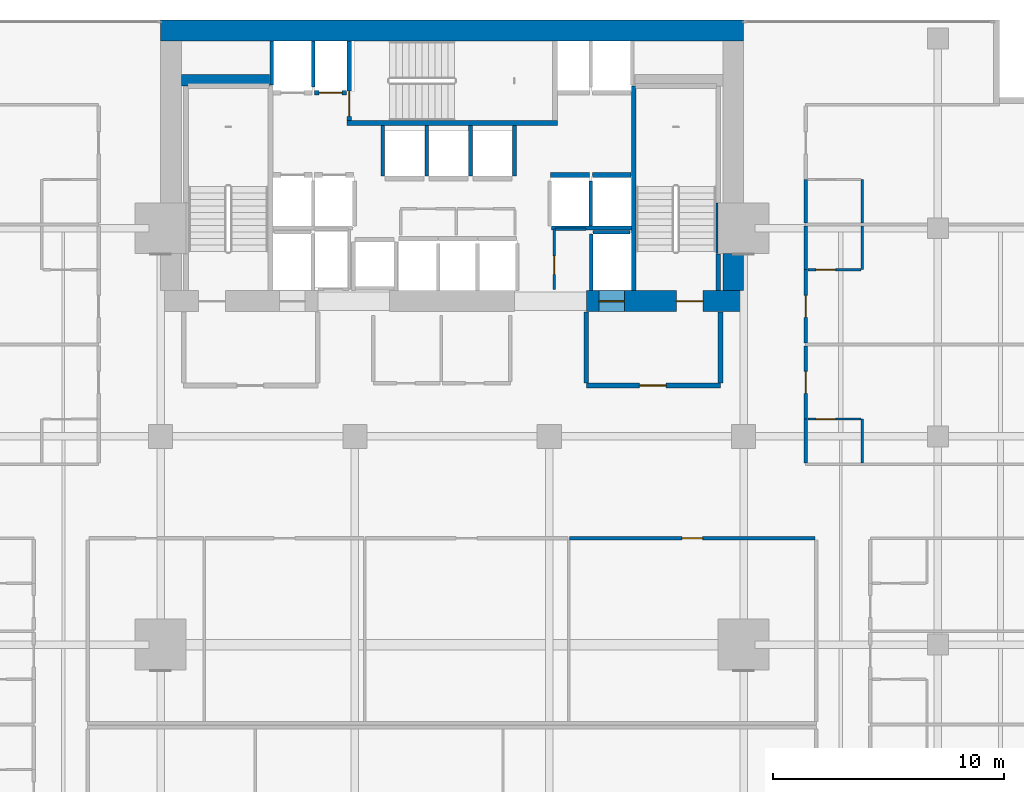
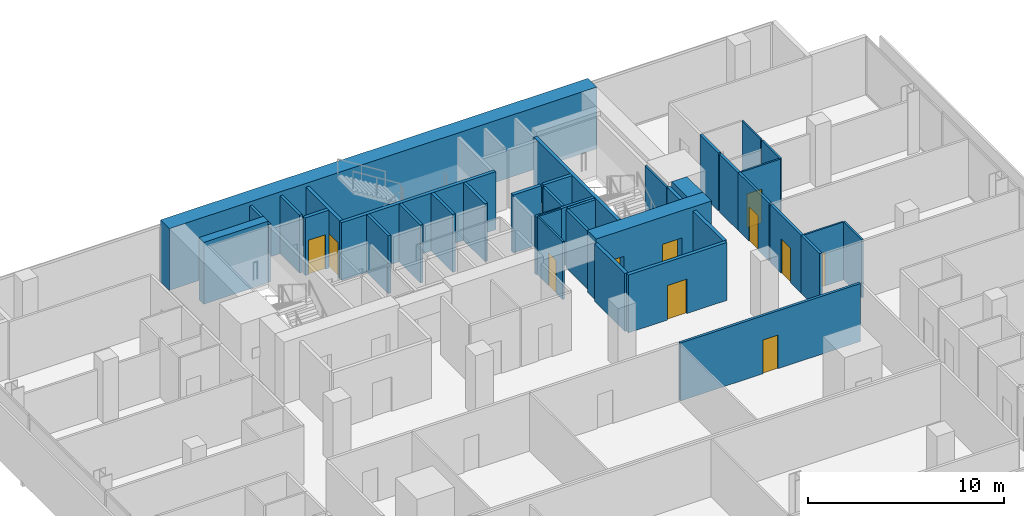
# One storey, part 37 of 41: 38 walls, 11 doors, 11 openings.
"""IFC4 building model written with IfcOpenShell, lengths in metres."""

from ifc_helpers import new_model, si_unit, direction, frame, frame_2d, origin, place, context, subcontext, project, spatial, rectangle, extrude, material, layer, layer_set, type_object, element, fill, save


model = new_model("IFC4")

# Units and contexts
model_context = context("Model", 3, precision=1e-05, world=origin(), true_north=direction((0.0, 1.0)))
body_context = subcontext(model_context, "Body", "Model", "MODEL_VIEW")
ifc_project = project(units=[si_unit("LENGTHUNIT", "METRE"), si_unit("AREAUNIT", "SQUARE_METRE"), si_unit("VOLUMEUNIT", "CUBIC_METRE"), si_unit("PLANEANGLEUNIT", "RADIAN"), si_unit("MASSUNIT", "GRAM", prefix="KILO")], contexts=[model_context])

# Site, building, storey
site_placement = place(None, origin())
site = spatial("IfcSite", under=ifc_project, at=site_placement, CompositionType="ELEMENT")
building_placement = place(site_placement, origin())
building = spatial("IfcBuilding", under=site, at=building_placement, Name="Maruvema Waterfront Hotel and Observation Tower", CompositionType="ELEMENT")
storey_placement = place(building_placement, frame((0.0, 0.0, 84.699951171875)))
storey = spatial("IfcBuildingStorey", under=building, at=storey_placement, Name="L20", CompositionType="ELEMENT", Elevation=84.699951171875)

# Wall, opening, door
ifc_material_1 = material(Name="Twin-stud acoustic gypsum drywall", Category="gypsum")
ifc_layer_1 = layer(ifc_material_1, 0.14990234375, Name="Acoustic Corridor and Suite Demising Wall 150 mm")
ifc_layer_set_1 = layer_set([ifc_layer_1], Name="Twin-stud acoustic gypsum drywall")
wall_type_1 = type_object("IfcWallType", Name="Acoustic Corridor and Suite Demising Wall 150 mm", PredefinedType="PARTITIONING", material=ifc_layer_set_1)
wall_1_placement = place(storey_placement, frame((42.8701171875, 31.60009765625, 0.0), z_axis=(0.0, 0.0, 1.0), x_axis=(1.0, 0.0, 0.0)))
wall_1 = element("IfcWall", 1, at=wall_1_placement, inside=storey, type_object=wall_type_1, Name="L20 L20-INTN Front 4 031", PredefinedType="PARTITIONING", context=body_context, shape_type="SweptSolid", body=[
    extrude(rectangle(XDim=10.619873046875, YDim=0.14990234375, at=frame_2d((5.31005859375, 0.0))), origin(), (0.0, 0.0, 1.0), 3.610107421875),
])
opening_1_placement = place(wall_1_placement, frame((4.860107421875, 0.0, 0.0)))
opening_1 = element("IfcOpeningElement", 2, at=opening_1_placement, cuts=wall_1, Name="Opening DR-090", PredefinedType="OPENING", context=body_context, shape_type="SweptSolid", body=[
    extrude(rectangle(XDim=0.89990234375, YDim=2.10009765625, at=frame_2d((0.449951171875, 1.050048828125))), frame((0.0, 0.0849609375, 0.0), z_axis=(0.0, -1.0, 0.0), x_axis=(1.0, 0.0, 0.0)), (0.0, 0.0, 1.0), 0.169921875),
])
ifc_material_2 = material(Name="Solid-core lacquered timber leaf", Category="wood")
door_type_1 = type_object("IfcDoorType", Name="Accessible Toilet and Room Door 900x2100 mm", OperationType="NOTDEFINED", PredefinedType="DOOR", material=ifc_material_2)
door_1_placement = place(opening_1_placement, origin())
door_1 = element("IfcDoor", 3, at=door_1_placement, inside=storey, type_object=door_type_1, Name="L20 Refreshment Kitchen Door", OperationType="SINGLE_SWING_LEFT", OverallHeight=2.10009765625, OverallWidth=0.89990234375, PredefinedType="DOOR", context=body_context, shape_type="SweptSolid", body=[
    extrude(rectangle(XDim=0.89990234375, YDim=2.10009765625, at=frame_2d((0.449951171875, 1.050048828125))), frame((0.0, 0.02490234375, 0.0), z_axis=(0.0, -1.0, 0.0), x_axis=(1.0, 0.0, 0.0)), (0.0, 0.0, 1.0), 0.050048828125),
])
fill(opening_1, door_1)

# Wall
wall_2_placement = place(storey_placement, frame((53.080078125, 34.860107421875, 0.0), z_axis=(0.0, 0.0, 1.0), x_axis=(0.0, 1.0, 0.0)))
element("IfcWall", 4, at=wall_2_placement, inside=storey, type_object=wall_type_1, Name="L20 Bath L20-NE1 Wall 126", PredefinedType="PARTITIONING", context=body_context, shape_type="SweptSolid", body=[
    extrude(rectangle(XDim=1.889892578125, YDim=0.14990234375, at=frame_2d((0.94482421875, 0.0))), origin(), (0.0, 0.0, 1.0), 3.610107421875),
])

# Wall, opening, door
wall_3_placement = place(storey_placement, frame((53.080078125, 36.75, 0.0), z_axis=(0.0, 0.0, 1.0), x_axis=(0.0, 1.0, 0.0)))
wall_3 = element("IfcWall", 5, at=wall_3_placement, inside=storey, type_object=wall_type_1, Name="L20 Room L20-NE1 Corridor Wall 127", PredefinedType="PARTITIONING", context=body_context, shape_type="SweptSolid", body=[
    extrude(rectangle(XDim=3.169189453125, YDim=0.14990234375, at=frame_2d((1.58447265625, 0.0))), origin(), (0.0, 0.0, 1.0), 3.610107421875),
])
opening_2_placement = place(wall_3_placement, frame((1.109619140625, 0.0, 0.0)))
opening_2 = element("IfcOpeningElement", 6, at=opening_2_placement, cuts=wall_3, Name="Opening DR-095", PredefinedType="OPENING", context=body_context, shape_type="SweptSolid", body=[
    extrude(rectangle(XDim=0.949951171875, YDim=2.14990234375, at=frame_2d((0.47509765625, 1.074951171875))), frame((0.0, 0.0849609375, 0.0), z_axis=(0.0, -1.0, 0.0), x_axis=(1.0, 0.0, 0.0)), (0.0, 0.0, 1.0), 0.169921875),
])
ifc_material_3 = material(Name="Acoustic solid-core hardwood timber leaf", Category="wood")
door_type_2 = type_object("IfcDoorType", Name="Guestroom Entrance Fire Door 950x2150 mm", OperationType="NOTDEFINED", PredefinedType="DOOR", material=ifc_material_3)
door_2_placement = place(opening_2_placement, frame((0.949951171875, 0.0, 0.0), z_axis=(0.0, 0.0, 1.0), x_axis=(-1.0, 0.0, 0.0)))
door_2 = element("IfcDoor", 7, at=door_2_placement, inside=storey, type_object=door_type_2, Name="L20 Room L20-NE1 Entrance Door", OperationType="SINGLE_SWING_LEFT", OverallHeight=2.14990234375, OverallWidth=0.949951171875, PredefinedType="DOOR", context=body_context, shape_type="SweptSolid", body=[
    extrude(rectangle(XDim=0.949951171875, YDim=2.14990234375, at=frame_2d((0.47509765625, 1.074951171875))), frame((0.0, 0.02490234375, 0.0), z_axis=(0.0, -1.0, 0.0), x_axis=(1.0, 0.0, 0.0)), (0.0, 0.0, 1.0), 0.050048828125),
])
fill(opening_2, door_2)

wall_4_placement = place(storey_placement, frame((53.080078125, 40.039306640625, 0.0), z_axis=(0.0, 0.0, 1.0), x_axis=(0.0, 1.0, 0.0)))
wall_4 = element("IfcWall", 8, at=wall_4_placement, inside=storey, type_object=wall_type_1, Name="L20 Room L20-NE2 Corridor Wall 136", PredefinedType="PARTITIONING", context=body_context, shape_type="SweptSolid", body=[
    extrude(rectangle(XDim=3.1689453125, YDim=0.14990234375, at=frame_2d((1.58447265625, 0.0))), origin(), (0.0, 0.0, 1.0), 3.610107421875),
])
opening_3_placement = place(wall_4_placement, frame((1.109619140625, 0.0, 0.0)))
opening_3 = element("IfcOpeningElement", 9, at=opening_3_placement, cuts=wall_4, Name="Opening DR-095", PredefinedType="OPENING", context=body_context, shape_type="SweptSolid", body=[
    extrude(rectangle(XDim=0.949951171875, YDim=2.14990234375, at=frame_2d((0.47509765625, 1.074951171875))), frame((0.0, 0.0849609375, 0.0), z_axis=(0.0, -1.0, 0.0), x_axis=(1.0, 0.0, 0.0)), (0.0, 0.0, 1.0), 0.169921875),
])
door_3_placement = place(opening_3_placement, frame((0.949951171875, 0.0, 0.0), z_axis=(0.0, 0.0, 1.0), x_axis=(-1.0, 0.0, 0.0)))
door_3 = element("IfcDoor", 10, at=door_3_placement, inside=storey, type_object=door_type_2, Name="L20 Room L20-NE2 Entrance Door", OperationType="SINGLE_SWING_LEFT", OverallHeight=2.14990234375, OverallWidth=0.949951171875, PredefinedType="DOOR", context=body_context, shape_type="SweptSolid", body=[
    extrude(rectangle(XDim=0.949951171875, YDim=2.14990234375, at=frame_2d((0.47509765625, 1.074951171875))), frame((0.0, 0.02490234375, 0.0), z_axis=(0.0, -1.0, 0.0), x_axis=(1.0, 0.0, 0.0)), (0.0, 0.0, 1.0), 0.050048828125),
])
fill(opening_3, door_3)

# Walls
for number, where, z_axis, x_axis, name in (
    (11, (53.080078125, 43.208251953125, 0.0), (0.0, 0.0, 1.0), (0.0, 1.0, 0.0), "L20 Bath L20-NE2 Wall 137"),
    (12, (53.080078125, 45.21826171875, 0.0), (0.0, 0.0, 1.0), (0.0, 1.0, 0.0), "L20 Bath L20-NE3 Wall 146"),
):
    element("IfcWall", number, at=place(storey_placement, frame(where, z_axis=z_axis, x_axis=x_axis)), inside=storey, type_object=wall_type_1, Name=name, PredefinedType="PARTITIONING", context=body_context, shape_type="SweptSolid", body=[
        extrude(rectangle(XDim=1.89013671875, YDim=0.14990234375, at=frame_2d((0.945068359375, 0.0))), origin(), (0.0, 0.0, 1.0), 3.610107421875),
    ])
ifc_material_4 = material(Name="Precast concrete C45/55", Category="concrete")
ifc_layer_2 = layer(ifc_material_4, 0.199951171875, Name="Core Shaft and Stairwell Enclosure Wall 200 mm")
ifc_layer_set_2 = layer_set([ifc_layer_2], Name="Precast concrete C45/55")
wall_type_2 = type_object("IfcWallType", Name="Core Shaft and Stairwell Enclosure Wall 200 mm", PredefinedType="SOLIDWALL", material=ifc_layer_set_2)
wall_5_placement = place(storey_placement, frame((33.25, 49.550048828125, 0.0), z_axis=(0.0, 0.0, 1.0), x_axis=(1.0, 0.0, 0.0)))
element("IfcWall", 13, at=wall_5_placement, inside=storey, type_object=wall_type_2, Name="L20 Stairwell ST-02 Shaft Wall", PredefinedType="SOLIDWALL", context=body_context, shape_type="SweptSolid", body=[
    extrude(rectangle(XDim=9.10009765625, YDim=0.199951171875, at=frame_2d((4.550048828125, 0.0))), origin(), (0.0, 0.0, 1.0), 3.610107421875),
])

# Wall, opening, door
wall_6_placement = place(storey_placement, frame((33.35009765625, 49.64990234375, 0.0), z_axis=(0.0, 0.0, 1.0), x_axis=(0.0, 1.0, 0.0)))
wall_6 = element("IfcWall", 14, at=wall_6_placement, inside=storey, type_object=wall_type_2, Name="L20 Stairwell ST-02 Shaft Wall", PredefinedType="SOLIDWALL", context=body_context, shape_type="SweptSolid", body=[
    extrude(rectangle(XDim=3.4501953125, YDim=0.199951171875, at=frame_2d((1.72509765625, 0.0))), origin(), (0.0, 0.0, 1.0), 3.610107421875),
])
opening_4_placement = place(wall_6_placement, frame((0.179931640625, 0.0, 0.0)))
opening_4 = element("IfcOpeningElement", 15, at=opening_4_placement, cuts=wall_6, Name="Opening SD-02", PredefinedType="OPENING", context=body_context, shape_type="SweptSolid", body=[
    extrude(rectangle(XDim=1.10009765625, YDim=2.14990234375, at=frame_2d((0.550048828125, 1.074951171875))), frame((0.0, 0.10986328125, 0.0), z_axis=(0.0, -1.0, 0.0), x_axis=(1.0, 0.0, 0.0)), (0.0, 0.0, 1.0), 0.219970703125),
])
ifc_material_5 = material(Name="Fire-rated galvanised steel leaf", Category="steel")
door_type_3 = type_object("IfcDoorType", Name="Central Exit Stair Fire Door 1100x2150 mm", OperationType="NOTDEFINED", PredefinedType="DOOR", material=ifc_material_5)
door_4_placement = place(opening_4_placement, frame((1.10009765625, 0.0, 0.0), z_axis=(0.0, 0.0, 1.0), x_axis=(-1.0, 0.0, 0.0)))
door_4 = element("IfcDoor", 16, at=door_4_placement, inside=storey, type_object=door_type_3, Name="L20 Exit Stair ST-02 Fire Door", OperationType="SINGLE_SWING_LEFT", OverallHeight=2.14990234375, OverallWidth=1.10009765625, PredefinedType="DOOR", context=body_context, shape_type="SweptSolid", body=[
    extrude(rectangle(XDim=1.10009765625, YDim=2.14990234375, at=frame_2d((0.550048828125, 1.074951171875))), frame((0.0, 0.02490234375, 0.0), z_axis=(0.0, -1.0, 0.0), x_axis=(1.0, 0.0, 0.0)), (0.0, 0.0, 1.0), 0.050048828125),
])
fill(opening_4, door_4)

# Walls
wall_7_placement = place(storey_placement, frame((45.64990234375, 42.300048828125, 0.0), z_axis=(0.0, 0.0, 1.0), x_axis=(0.0, 1.0, 0.0)))
element("IfcWall", 17, at=wall_7_placement, inside=storey, type_object=wall_type_2, Name="L20 Stairwell ST-03 West Shaft Wall", PredefinedType="SOLIDWALL", context=body_context, shape_type="SweptSolid", body=[
    extrude(rectangle(XDim=8.849853515625, YDim=0.199951171875, at=frame_2d((4.4248046875, 0.0))), origin(), (0.0, 0.0, 1.0), 3.610107421875),
])
wall_8_placement = place(storey_placement, frame((49.300048828125, 42.300048828125, 0.0), z_axis=(0.0, 0.0, 1.0), x_axis=(0.0, 1.0, 0.0)))
element("IfcWall", 18, at=wall_8_placement, inside=storey, type_object=wall_type_2, Name="L20 Stairwell ST-03 Shaft Lining Wall", PredefinedType="SOLIDWALL", context=body_context, shape_type="SweptSolid", body=[
    extrude(rectangle(XDim=1.579833984375, YDim=0.199951171875, at=frame_2d((0.7900390625, 0.0))), origin(), (0.0, 0.0, 1.0), 3.610107421875),
])

# Wall, opening, door
wall_9_placement = place(storey_placement, frame((31.860107421875, 50.85009765625, 0.0), z_axis=(0.0, 0.0, 1.0), x_axis=(1.0, 0.0, 0.0)))
wall_9 = element("IfcWall", 19, at=wall_9_placement, inside=storey, type_object=wall_type_2, Name="L20 Lift LF-04 Hoistway Front Wall", PredefinedType="SOLIDWALL", context=body_context, shape_type="SweptSolid", body=[
    extrude(rectangle(XDim=1.3798828125, YDim=0.199951171875, at=frame_2d((0.68994140625, 0.0))), origin(), (0.0, 0.0, 1.0), 3.610107421875),
])
opening_5_placement = place(wall_9_placement, frame((0.18994140625, 0.0, 0.0)))
opening_5 = element("IfcOpeningElement", 20, at=opening_5_placement, cuts=wall_9, Name="Opening LD-01", PredefinedType="OPENING", context=body_context, shape_type="SweptSolid", body=[
    extrude(rectangle(XDim=1.0, YDim=2.14990234375, at=frame_2d((0.5, 1.074951171875))), frame((0.0, 0.10986328125, 0.0), z_axis=(0.0, -1.0, 0.0), x_axis=(1.0, 0.0, 0.0)), (0.0, 0.0, 1.0), 0.219970703125),
])
ifc_material_6 = material(Name="Brushed stainless steel Grade 316", Category="steel")
door_type_4 = type_object("IfcDoorType", Name="Passenger Lift Sliding Landing Door 1000x2150 mm", OperationType="SLIDING_TO_LEFT", PredefinedType="DOOR", material=ifc_material_6)
door_5_placement = place(opening_5_placement, frame((1.0, 0.0, 0.0), z_axis=(0.0, 0.0, 1.0), x_axis=(-1.0, 0.0, 0.0)))
door_5 = element("IfcDoor", 21, at=door_5_placement, inside=storey, type_object=door_type_4, Name="L20 Lift LF-04 Sliding Landing Door", OperationType="SLIDING_TO_LEFT", OverallHeight=2.14990234375, OverallWidth=1.0, PredefinedType="DOOR", context=body_context, shape_type="SweptSolid", body=[
    extrude(rectangle(XDim=1.0, YDim=2.14990234375, at=frame_2d((0.5, 1.074951171875))), frame((0.0, 0.02490234375, 0.0), z_axis=(0.0, -1.0, 0.0), x_axis=(1.0, 0.0, 0.0)), (0.0, 0.0, 1.0), 0.050048828125),
])
fill(opening_5, door_5)

# Walls
for number, where, z_axis, x_axis, name in (
    (22, (42.06005859375, 47.300048828125, 0.0), (0.0, 0.0, 1.0), (1.0, 0.0, 0.0), "L20 Lift LF-05 Hoistway Front Wall"),
    (23, (43.860107421875, 47.300048828125, 0.0), (0.0, 0.0, 1.0), (1.0, 0.0, 0.0), "L20 Lift LF-06 Hoistway Front Wall"),
):
    element("IfcWall", number, at=place(storey_placement, frame(where, z_axis=z_axis, x_axis=x_axis)), inside=storey, type_object=wall_type_2, Name=name, PredefinedType="SOLIDWALL", context=body_context, shape_type="SweptSolid", body=[
        extrude(rectangle(XDim=1.679931640625, YDim=0.199951171875, at=frame_2d((0.83984375, 0.0))), origin(), (0.0, 0.0, 1.0), 3.610107421875),
    ])
ifc_material_7 = material(Name="Concrete C70/85", Category="concrete")
ifc_layer_3 = layer(ifc_material_7, 0.5, Name="Core Shear Wall 500 mm")
ifc_layer_set_3 = layer_set([ifc_layer_3], Name="Concrete C70/85")
wall_type_3 = type_object("IfcWallType", Name="Core Shear Wall 500 mm", PredefinedType="SHEAR", material=ifc_layer_set_3)
wall_10_placement = place(storey_placement, frame((26.10009765625, 51.39990234375, 0.0), z_axis=(0.0, 0.0, 1.0), x_axis=(1.0, 0.0, 0.0)))
element("IfcWall", 24, at=wall_10_placement, inside=storey, type_object=wall_type_3, Name="L20 Internal Core Shear Wall NW 500 mm", PredefinedType="SHEAR", context=body_context, shape_type="SweptSolid", body=[
    extrude(rectangle(XDim=3.7998046875, YDim=0.5, at=frame_2d((1.89990234375, 0.0))), origin(), (0.0, 0.0, 1.0), 3.85009765625),
])
ifc_material_8 = material(Name="Concrete C80/95", Category="concrete")
ifc_layer_4 = layer(ifc_material_8, 0.89990234375, Name="Core Shear Wall 900 mm")
ifc_layer_set_4 = layer_set([ifc_layer_4], Name="Concrete C80/95")
wall_type_4 = type_object("IfcWallType", Name="Core Shear Wall 900 mm", PredefinedType="SHEAR", material=ifc_layer_set_4)
wall_11_placement = place(storey_placement, frame((25.199951171875, 53.550048828125, 0.0), z_axis=(0.0, 0.0, 1.0), x_axis=(1.0, 0.0, 0.0)))
element("IfcWall", 25, at=wall_11_placement, inside=storey, type_object=wall_type_4, Name="L20 North Core Shear Wall", PredefinedType="SHEAR", context=body_context, shape_type="SweptSolid", body=[
    extrude(rectangle(XDim=25.199951171875, YDim=0.89990234375, at=frame_2d((12.60009765625, 0.0))), origin(), (0.0, 0.0, 1.0), 3.85009765625),
])

# Wall, openings, doors
wall_12_placement = place(storey_placement, frame((43.60009765625, 41.85009765625, 0.0), z_axis=(0.0, 0.0, 1.0), x_axis=(1.0, 0.0, 0.0)))
wall_12 = element("IfcWall", 26, at=wall_12_placement, inside=storey, type_object=wall_type_4, Name="L20 South-East Core Shear Wall", PredefinedType="SHEAR", context=body_context, shape_type="SweptSolid", body=[
    extrude(rectangle(XDim=6.7998046875, YDim=0.89990234375, at=frame_2d((3.39990234375, 0.0))), origin(), (0.0, 0.0, 1.0), 3.85009765625),
])
opening_6_placement = place(wall_12_placement, frame((3.89990234375, 0.0, 0.0)))
opening_6 = element("IfcOpeningElement", 27, at=opening_6_placement, cuts=wall_12, Name="Opening SD-01", PredefinedType="OPENING", context=body_context, shape_type="SweptSolid", body=[
    extrude(rectangle(XDim=1.14990234375, YDim=2.14990234375, at=frame_2d((0.574951171875, 1.074951171875))), frame((0.0, 0.4599609375, 0.0), z_axis=(0.0, -1.0, 0.0), x_axis=(1.0, 0.0, 0.0)), (0.0, 0.0, 1.0), 0.919921875),
])
opening_7_placement = place(wall_12_placement, frame((0.550048828125, 0.0, 0.0)))
opening_7 = element("IfcOpeningElement", 28, at=opening_7_placement, cuts=wall_12, Name="Opening LD-03", PredefinedType="OPENING", context=body_context, shape_type="SweptSolid", body=[
    extrude(rectangle(XDim=1.10009765625, YDim=2.199951171875, at=frame_2d((0.550048828125, 1.10009765625))), frame((0.0, 0.4599609375, 0.0), z_axis=(0.0, -1.0, 0.0), x_axis=(1.0, 0.0, 0.0)), (0.0, 0.0, 1.0), 0.919921875),
])
ifc_material_9 = material(Name="Fire-rated galvanised steel leaf", Category="steel")
door_type_5 = type_object("IfcDoorType", Name="Exit Stair Fire Door 1150x2150 mm", OperationType="NOTDEFINED", PredefinedType="DOOR", material=ifc_material_9)
door_6_placement = place(opening_6_placement, origin())
door_6 = element("IfcDoor", 29, at=door_6_placement, inside=storey, type_object=door_type_5, Name="L20 Exit Stair ST-03 Fire Door", OperationType="SINGLE_SWING_RIGHT", OverallHeight=2.14990234375, OverallWidth=1.14990234375, PredefinedType="DOOR", context=body_context, shape_type="SweptSolid", body=[
    extrude(rectangle(XDim=1.14990234375, YDim=2.14990234375, at=frame_2d((0.574951171875, 1.074951171875))), frame((0.0, 0.02490234375, 0.0), z_axis=(0.0, -1.0, 0.0), x_axis=(1.0, 0.0, 0.0)), (0.0, 0.0, 1.0), 0.050048828125),
])
fill(opening_6, door_6)
ifc_material_10 = material(Name="Brushed stainless steel Grade 316", Category="steel")
door_type_6 = type_object("IfcDoorType", Name="Firefighting Lift Sliding Landing Door 1100x2200 mm", OperationType="SLIDING_TO_LEFT", PredefinedType="DOOR", material=ifc_material_10)
door_7_placement = place(opening_7_placement, frame((1.10009765625, 0.0, 0.0), z_axis=(0.0, 0.0, 1.0), x_axis=(-1.0, 0.0, 0.0)))
door_7 = element("IfcDoor", 30, at=door_7_placement, inside=storey, type_object=door_type_6, Name="L20 Firefighting Lift FL-02 Landing Door", OperationType="SLIDING_TO_LEFT", OverallHeight=2.199951171875, OverallWidth=1.10009765625, PredefinedType="DOOR", context=body_context, shape_type="SweptSolid", body=[
    extrude(rectangle(XDim=1.10009765625, YDim=2.199951171875, at=frame_2d((0.550048828125, 1.10009765625))), frame((0.0, 0.02490234375, 0.0), z_axis=(0.0, -1.0, 0.0), x_axis=(1.0, 0.0, 0.0)), (0.0, 0.0, 1.0), 0.050048828125),
])
fill(opening_7, door_7)

# Wall
wall_13_placement = place(storey_placement, frame((49.949951171875, 42.300048828125, 0.0), z_axis=(0.0, 0.0, 1.0), x_axis=(0.0, 1.0, 0.0)))
element("IfcWall", 31, at=wall_13_placement, inside=storey, type_object=wall_type_4, Name="L20 East-South Core Shear Wall", PredefinedType="SHEAR", context=body_context, shape_type="SweptSolid", body=[
    extrude(rectangle(XDim=1.599853515625, YDim=0.89990234375, at=frame_2d((0.7998046875, 0.0))), origin(), (0.0, 0.0, 1.0), 3.85009765625),
])

# Wall, opening, door
ifc_material_11 = material(Name="Moisture-resistant cement-board drywall", Category="gypsum")
ifc_layer_5 = layer(ifc_material_11, 0.10009765625, Name="En-Suite Moisture-Resistant Partition 100 mm")
ifc_layer_set_5 = layer_set([ifc_layer_5], Name="Moisture-resistant cement-board drywall")
wall_type_5 = type_object("IfcWallType", Name="En-Suite Moisture-Resistant Partition 100 mm", PredefinedType="PARTITIONING", material=ifc_layer_set_5)
wall_14_placement = place(storey_placement, frame((42.219970703125, 42.35009765625, 0.0), z_axis=(0.0, 0.0, 1.0), x_axis=(0.0, 1.0, 0.0)))
wall_14 = element("IfcWall", 32, at=wall_14_placement, inside=storey, type_object=wall_type_5, Name="L20 Core Closet K2C West 015", PredefinedType="PARTITIONING", context=body_context, shape_type="SweptSolid", body=[
    extrude(rectangle(XDim=2.60986328125, YDim=0.10009765625, at=frame_2d((1.304931640625, 0.0))), origin(), (0.0, 0.0, 1.0), 3.610107421875),
])
opening_8_placement = place(wall_14_placement, frame((0.64990234375, 0.0, 0.0)))
opening_8 = element("IfcOpeningElement", 33, at=opening_8_placement, cuts=wall_14, Name="Opening DR-080", PredefinedType="OPENING", context=body_context, shape_type="SweptSolid", body=[
    extrude(rectangle(XDim=0.800048828125, YDim=2.050048828125, at=frame_2d((0.39990234375, 1.02490234375))), frame((0.0, 0.06005859375, 0.0), z_axis=(0.0, -1.0, 0.0), x_axis=(1.0, 0.0, 0.0)), (0.0, 0.0, 1.0), 0.1201171875),
])
ifc_material_12 = material(Name="Powder-coated steel access leaf", Category="steel")
door_type_7 = type_object("IfcDoorType", Name="Riser and Service Cupboard Door 800x2050 mm", OperationType="NOTDEFINED", PredefinedType="DOOR", material=ifc_material_12)
door_8_placement = place(opening_8_placement, frame((0.800048828125, 0.0, 0.0), z_axis=(0.0, 0.0, 1.0), x_axis=(-1.0, 0.0, 0.0)))
door_8 = element("IfcDoor", 34, at=door_8_placement, inside=storey, type_object=door_type_7, Name="L20 Core Housekeeping Closet Door", OperationType="SINGLE_SWING_LEFT", OverallHeight=2.050048828125, OverallWidth=0.800048828125, PredefinedType="DOOR", context=body_context, shape_type="SweptSolid", body=[
    extrude(rectangle(XDim=0.800048828125, YDim=2.050048828125, at=frame_2d((0.39990234375, 1.02490234375))), frame((0.0, 0.02490234375, 0.0), z_axis=(0.0, -1.0, 0.0), x_axis=(1.0, 0.0, 0.0)), (0.0, 0.0, 1.0), 0.050048828125),
])
fill(opening_8, door_8)

# Walls
wall_15_placement = place(storey_placement, frame((42.280029296875, 44.9599609375, 0.0), z_axis=(0.0, 0.0, 1.0), x_axis=(1.0, 0.0, 0.0)))
element("IfcWall", 35, at=wall_15_placement, inside=storey, type_object=wall_type_5, Name="L20 Core Closet K2C North 016", PredefinedType="PARTITIONING", context=body_context, shape_type="SweptSolid", body=[
    extrude(rectangle(XDim=1.300048828125, YDim=0.10009765625, at=frame_2d((0.64990234375, 0.0))), origin(), (0.0, 0.0, 1.0), 3.610107421875),
])
wall_16_placement = place(storey_placement, frame((55.530029296875, 34.860107421875, 0.0), z_axis=(0.0, 0.0, 1.0), x_axis=(0.0, 1.0, 0.0)))
element("IfcWall", 36, at=wall_16_placement, inside=storey, type_object=wall_type_5, Name="L20 En-Suite L20-NE1 E 128", PredefinedType="PARTITIONING", context=body_context, shape_type="SweptSolid", body=[
    extrude(rectangle(XDim=1.889892578125, YDim=0.10009765625, at=frame_2d((0.94482421875, 0.0))), origin(), (0.0, 0.0, 1.0), 3.610107421875),
])

# Wall, opening, door
wall_17_placement = place(storey_placement, frame((53.179931640625, 36.75, 0.0), z_axis=(0.0, 0.0, 1.0), x_axis=(1.0, 0.0, 0.0)))
wall_17 = element("IfcWall", 37, at=wall_17_placement, inside=storey, type_object=wall_type_5, Name="L20 En-Suite L20-NE1 N 129", PredefinedType="PARTITIONING", context=body_context, shape_type="SweptSolid", body=[
    extrude(rectangle(XDim=2.300048828125, YDim=0.10009765625, at=frame_2d((1.14990234375, 0.0))), origin(), (0.0, 0.0, 1.0), 3.610107421875),
])
opening_9_placement = place(wall_17_placement, frame((0.35009765625, 0.0, 0.0)))
opening_9 = element("IfcOpeningElement", 38, at=opening_9_placement, cuts=wall_17, Name="Opening DR-085", PredefinedType="OPENING", context=body_context, shape_type="SweptSolid", body=[
    extrude(rectangle(XDim=0.85009765625, YDim=2.10009765625, at=frame_2d((0.425048828125, 1.050048828125))), frame((0.0, 0.06005859375, 0.0), z_axis=(0.0, -1.0, 0.0), x_axis=(1.0, 0.0, 0.0)), (0.0, 0.0, 1.0), 0.1201171875),
])
ifc_material_13 = material(Name="Moisture-resistant solid timber leaf", Category="wood")
door_type_8 = type_object("IfcDoorType", Name="En-Suite Bathroom Door 850x2100 mm", OperationType="NOTDEFINED", PredefinedType="DOOR", material=ifc_material_13)
door_9_placement = place(opening_9_placement, origin())
door_9 = element("IfcDoor", 39, at=door_9_placement, inside=storey, type_object=door_type_8, Name="L20 En-Suite L20-NE1 Door", OperationType="SINGLE_SWING_RIGHT", OverallHeight=2.10009765625, OverallWidth=0.85009765625, PredefinedType="DOOR", context=body_context, shape_type="SweptSolid", body=[
    extrude(rectangle(XDim=0.85009765625, YDim=2.10009765625, at=frame_2d((0.425048828125, 1.050048828125))), frame((0.0, 0.02490234375, 0.0), z_axis=(0.0, -1.0, 0.0), x_axis=(1.0, 0.0, 0.0)), (0.0, 0.0, 1.0), 0.050048828125),
])
fill(opening_9, door_9)

# Wall
wall_18_placement = place(storey_placement, frame((55.530029296875, 43.208251953125, 0.0), z_axis=(0.0, 0.0, 1.0), x_axis=(0.0, 1.0, 0.0)))
element("IfcWall", 40, at=wall_18_placement, inside=storey, type_object=wall_type_5, Name="L20 En-Suite L20-NE2 E 138", PredefinedType="PARTITIONING", context=body_context, shape_type="SweptSolid", body=[
    extrude(rectangle(XDim=1.89013671875, YDim=0.10009765625, at=frame_2d((0.945068359375, 0.0))), origin(), (0.0, 0.0, 1.0), 3.610107421875),
])

# Wall, opening, door
wall_19_placement = place(storey_placement, frame((53.179931640625, 43.208251953125, 0.0), z_axis=(0.0, 0.0, 1.0), x_axis=(1.0, 0.0, 0.0)))
wall_19 = element("IfcWall", 41, at=wall_19_placement, inside=storey, type_object=wall_type_5, Name="L20 En-Suite L20-NE2 S 139", PredefinedType="PARTITIONING", context=body_context, shape_type="SweptSolid", body=[
    extrude(rectangle(XDim=2.300048828125, YDim=0.10009765625, at=frame_2d((1.14990234375, 0.0))), origin(), (0.0, 0.0, 1.0), 3.610107421875),
])
opening_10_placement = place(wall_19_placement, frame((0.35009765625, 0.0, 0.0)))
opening_10 = element("IfcOpeningElement", 42, at=opening_10_placement, cuts=wall_19, Name="Opening DR-085", PredefinedType="OPENING", context=body_context, shape_type="SweptSolid", body=[
    extrude(rectangle(XDim=0.85009765625, YDim=2.10009765625, at=frame_2d((0.425048828125, 1.050048828125))), frame((0.0, 0.06005859375, 0.0), z_axis=(0.0, -1.0, 0.0), x_axis=(1.0, 0.0, 0.0)), (0.0, 0.0, 1.0), 0.1201171875),
])
door_10_placement = place(opening_10_placement, frame((0.85009765625, 0.0, 0.0), z_axis=(0.0, 0.0, 1.0), x_axis=(-1.0, 0.0, 0.0)))
door_10 = element("IfcDoor", 43, at=door_10_placement, inside=storey, type_object=door_type_8, Name="L20 En-Suite L20-NE2 Door", OperationType="SINGLE_SWING_RIGHT", OverallHeight=2.10009765625, OverallWidth=0.85009765625, PredefinedType="DOOR", context=body_context, shape_type="SweptSolid", body=[
    extrude(rectangle(XDim=0.85009765625, YDim=2.10009765625, at=frame_2d((0.425048828125, 1.050048828125))), frame((0.0, 0.02490234375, 0.0), z_axis=(0.0, -1.0, 0.0), x_axis=(1.0, 0.0, 0.0)), (0.0, 0.0, 1.0), 0.050048828125),
])
fill(opening_10, door_10)

# Wall
wall_20_placement = place(storey_placement, frame((55.530029296875, 45.21826171875, 0.0), z_axis=(0.0, 0.0, 1.0), x_axis=(0.0, 1.0, 0.0)))
element("IfcWall", 44, at=wall_20_placement, inside=storey, type_object=wall_type_5, Name="L20 En-Suite L20-NE3 E 148", PredefinedType="PARTITIONING", context=body_context, shape_type="SweptSolid", body=[
    extrude(rectangle(XDim=1.89013671875, YDim=0.10009765625, at=frame_2d((0.945068359375, 0.0))), origin(), (0.0, 0.0, 1.0), 3.610107421875),
])

# Wall, opening, door
ifc_material_14 = material(Name="Autoclaved cellular concrete blockwork", Category="masonry")
ifc_layer_6 = layer(ifc_material_14, 0.199951171875, Name="Fire Compartment Masonry Wall 200 mm")
ifc_layer_set_6 = layer_set([ifc_layer_6], Name="Autoclaved cellular concrete blockwork")
wall_type_6 = type_object("IfcWallType", Name="Fire Compartment Masonry Wall 200 mm", PredefinedType="PARTITIONING", material=ifc_layer_set_6)
wall_21_placement = place(storey_placement, frame((43.60009765625, 38.199951171875, 0.0), z_axis=(0.0, 0.0, 1.0), x_axis=(1.0, 0.0, 0.0)))
wall_21 = element("IfcWall", 45, at=wall_21_placement, inside=storey, type_object=wall_type_6, Name="L20 FFL East South Wall 004", PredefinedType="PARTITIONING", context=body_context, shape_type="SweptSolid", body=[
    extrude(rectangle(XDim=5.7998046875, YDim=0.199951171875, at=frame_2d((2.89990234375, 0.0))), origin(), (0.0, 0.0, 1.0), 3.610107421875),
])
opening_11_placement = place(wall_21_placement, frame((2.300048828125, 0.0, 0.0)))
opening_11 = element("IfcOpeningElement", 46, at=opening_11_placement, cuts=wall_21, Name="Opening FD-115", PredefinedType="OPENING", context=body_context, shape_type="SweptSolid", body=[
    extrude(rectangle(XDim=1.14990234375, YDim=2.14990234375, at=frame_2d((0.574951171875, 1.074951171875))), frame((0.0, 0.10986328125, 0.0), z_axis=(0.0, -1.0, 0.0), x_axis=(1.0, 0.0, 0.0)), (0.0, 0.0, 1.0), 0.219970703125),
])
ifc_material_15 = material(Name="Fire-rated galvanised steel and vision glass", Category="steel")
door_type_9 = type_object("IfcDoorType", Name="Firefighting Lobby Fire Door 1150x2150 mm", OperationType="NOTDEFINED", PredefinedType="DOOR", material=ifc_material_15)
door_11_placement = place(opening_11_placement, frame((1.14990234375, 0.0, 0.0), z_axis=(0.0, 0.0, 1.0), x_axis=(-1.0, 0.0, 0.0)))
door_11 = element("IfcDoor", 47, at=door_11_placement, inside=storey, type_object=door_type_9, Name="L20 Firefighting Lobby East Door", OperationType="SINGLE_SWING_LEFT", OverallHeight=2.14990234375, OverallWidth=1.14990234375, PredefinedType="DOOR", context=body_context, shape_type="SweptSolid", body=[
    extrude(rectangle(XDim=1.14990234375, YDim=2.14990234375, at=frame_2d((0.574951171875, 1.074951171875))), frame((0.0, 0.02490234375, 0.0), z_axis=(0.0, -1.0, 0.0), x_axis=(1.0, 0.0, 0.0)), (0.0, 0.0, 1.0), 0.050048828125),
])
fill(opening_11, door_11)

# Walls
for number, where, z_axis, x_axis, name in (
    (48, (43.60009765625, 38.31005859375, 0.0), (0.0, 0.0, 1.0), (0.0, 1.0, 0.0), "L20 FFL East West Wall 005"),
    (49, (49.39990234375, 38.31005859375, 0.0), (0.0, 0.0, 1.0), (0.0, 1.0, 0.0), "L20 FFL East East Wall 006"),
):
    element("IfcWall", number, at=place(storey_placement, frame(where, z_axis=z_axis, x_axis=x_axis)), inside=storey, type_object=wall_type_6, Name=name, PredefinedType="PARTITIONING", context=body_context, shape_type="SweptSolid", body=[
        extrude(rectangle(XDim=3.06982421875, YDim=0.199951171875, at=frame_2d((1.534912109375, 0.0))), origin(), (0.0, 0.0, 1.0), 3.610107421875),
    ])
ifc_material_16 = material(Name="Precast concrete C45/55", Category="concrete")
ifc_layer_7 = layer(ifc_material_16, 0.159912109375, Name="Lift Hoistway Divider Wall 160 mm")
ifc_layer_set_7 = layer_set([ifc_layer_7], Name="Precast concrete C45/55")
wall_type_7 = type_object("IfcWallType", Name="Lift Hoistway Divider Wall 160 mm", PredefinedType="SOLIDWALL", material=ifc_layer_set_7)
wall_22_placement = place(storey_placement, frame((43.89990234375, 44.830078125, 0.0), z_axis=(0.0, 0.0, 1.0), x_axis=(1.0, 0.0, 0.0)))
element("IfcWall", 50, at=wall_22_placement, inside=storey, type_object=wall_type_7, Name="L20 Lift FL-02 Rear Hoistway Wall", PredefinedType="SOLIDWALL", context=body_context, shape_type="SweptSolid", body=[
    extrude(rectangle(XDim=1.60009765625, YDim=0.159912109375, at=frame_2d((0.800048828125, 0.0))), origin(), (0.0, 0.0, 1.0), 3.610107421875),
])
wall_23_placement = place(storey_placement, frame((43.820068359375, 42.300048828125, 0.0), z_axis=(0.0, 0.0, 1.0), x_axis=(0.0, 1.0, 0.0)))
element("IfcWall", 51, at=wall_23_placement, inside=storey, type_object=wall_type_7, Name="L20 Lift FL-02 Inner Hoistway Wall", PredefinedType="SOLIDWALL", context=body_context, shape_type="SweptSolid", body=[
    extrude(rectangle(XDim=2.43994140625, YDim=0.159912109375, at=frame_2d((1.219970703125, 0.0))), origin(), (0.0, 0.0, 1.0), 3.610107421875),
])
wall_24_placement = place(storey_placement, frame((30.010009765625, 51.179931640625, 0.0), z_axis=(0.0, 0.0, 1.0), x_axis=(0.0, 1.0, 0.0)))
element("IfcWall", 52, at=wall_24_placement, inside=storey, type_object=wall_type_7, Name="L20 Hoistway Divider Wall", PredefinedType="SOLIDWALL", context=body_context, shape_type="SweptSolid", body=[
    extrude(rectangle(XDim=1.920166015625, YDim=0.159912109375, at=frame_2d((0.9599609375, 0.0))), origin(), (0.0, 0.0, 1.0), 3.610107421875),
])
wall_25_placement = place(storey_placement, frame((31.800048828125, 51.10009765625, 0.0), z_axis=(0.0, 0.0, 1.0), x_axis=(0.0, 1.0, 0.0)))
element("IfcWall", 53, at=wall_25_placement, inside=storey, type_object=wall_type_7, Name="L20 Hoistway Divider Wall", PredefinedType="SOLIDWALL", context=body_context, shape_type="SweptSolid", body=[
    extrude(rectangle(XDim=2.0, YDim=0.159912109375, at=frame_2d((1.0, 0.0))), origin(), (0.0, 0.0, 1.0), 3.610107421875),
])
wall_26_placement = place(storey_placement, frame((43.800048828125, 45.10009765625, 0.0), z_axis=(0.0, 0.0, 1.0), x_axis=(0.0, 1.0, 0.0)))
element("IfcWall", 54, at=wall_26_placement, inside=storey, type_object=wall_type_7, Name="L20 Hoistway Divider Wall", PredefinedType="SOLIDWALL", context=body_context, shape_type="SweptSolid", body=[
    extrude(rectangle(XDim=1.949951171875, YDim=0.159912109375, at=frame_2d((0.97509765625, 0.0))), origin(), (0.0, 0.0, 1.0), 3.610107421875),
])
wall_27_placement = place(storey_placement, frame((42.10009765625, 45.010009765625, 0.0), z_axis=(0.0, 0.0, 1.0), x_axis=(1.0, 0.0, 0.0)))
element("IfcWall", 55, at=wall_27_placement, inside=storey, type_object=wall_type_7, Name="L20 Hoistway Divider Wall", PredefinedType="SOLIDWALL", context=body_context, shape_type="SweptSolid", body=[
    extrude(rectangle(XDim=3.449951171875, YDim=0.159912109375, at=frame_2d((1.72509765625, 0.0))), origin(), (0.0, 0.0, 1.0), 3.610107421875),
])
for number, where, z_axis, x_axis, name in (
    (56, (34.800048828125, 47.25, 0.0), (0.0, 0.0, 1.0), (0.0, 1.0, 0.0), "L20 Hoistway Divider Wall"),
    (57, (36.699951171875, 47.25, 0.0), (0.0, 0.0, 1.0), (0.0, 1.0, 0.0), "L20 Hoistway Divider Wall"),
    (58, (38.60009765625, 47.25, 0.0), (0.0, 0.0, 1.0), (0.0, 1.0, 0.0), "L20 Hoistway Divider Wall"),
    (59, (40.5, 47.25, 0.0), (0.0, 0.0, 1.0), (0.0, 1.0, 0.0), "L20 Hoistway Divider Wall"),
):
    element("IfcWall", number, at=place(storey_placement, frame(where, z_axis=z_axis, x_axis=x_axis)), inside=storey, type_object=wall_type_7, Name=name, PredefinedType="SOLIDWALL", context=body_context, shape_type="SweptSolid", body=[
        extrude(rectangle(XDim=2.18994140625, YDim=0.159912109375, at=frame_2d((1.094970703125, 0.0))), origin(), (0.0, 0.0, 1.0), 3.610107421875),
    ])
ifc_material_17 = material(Name="Precast concrete C45/55", Category="concrete")
ifc_layer_8 = layer(ifc_material_17, 0.10009765625, Name="Stairwell Stringer Cheek Wall 100 mm")
ifc_layer_set_8 = layer_set([ifc_layer_8], Name="Precast concrete C45/55")
wall_type_8 = type_object("IfcWallType", Name="Stairwell Stringer Cheek Wall 100 mm", PredefinedType="SOLIDWALL", material=ifc_layer_set_8)
wall_28_placement = place(storey_placement, frame((49.248046875, 43.89990234375, 0.0), z_axis=(0.0, 0.0, 1.0), x_axis=(0.0, 1.0, 0.0)))
element("IfcWall", 60, at=wall_28_placement, inside=storey, type_object=wall_type_8, Name="L20 Stairwell ST-03 Mega-Column Cheek Wall", PredefinedType="SOLIDWALL", context=body_context, shape_type="SweptSolid", body=[
    extrude(rectangle(XDim=2.2001953125, YDim=0.10009765625, at=frame_2d((1.10009765625, 0.0))), origin(), (0.0, 0.0, 1.0), 3.610107421875),
])

save(model, "model.ifc")
